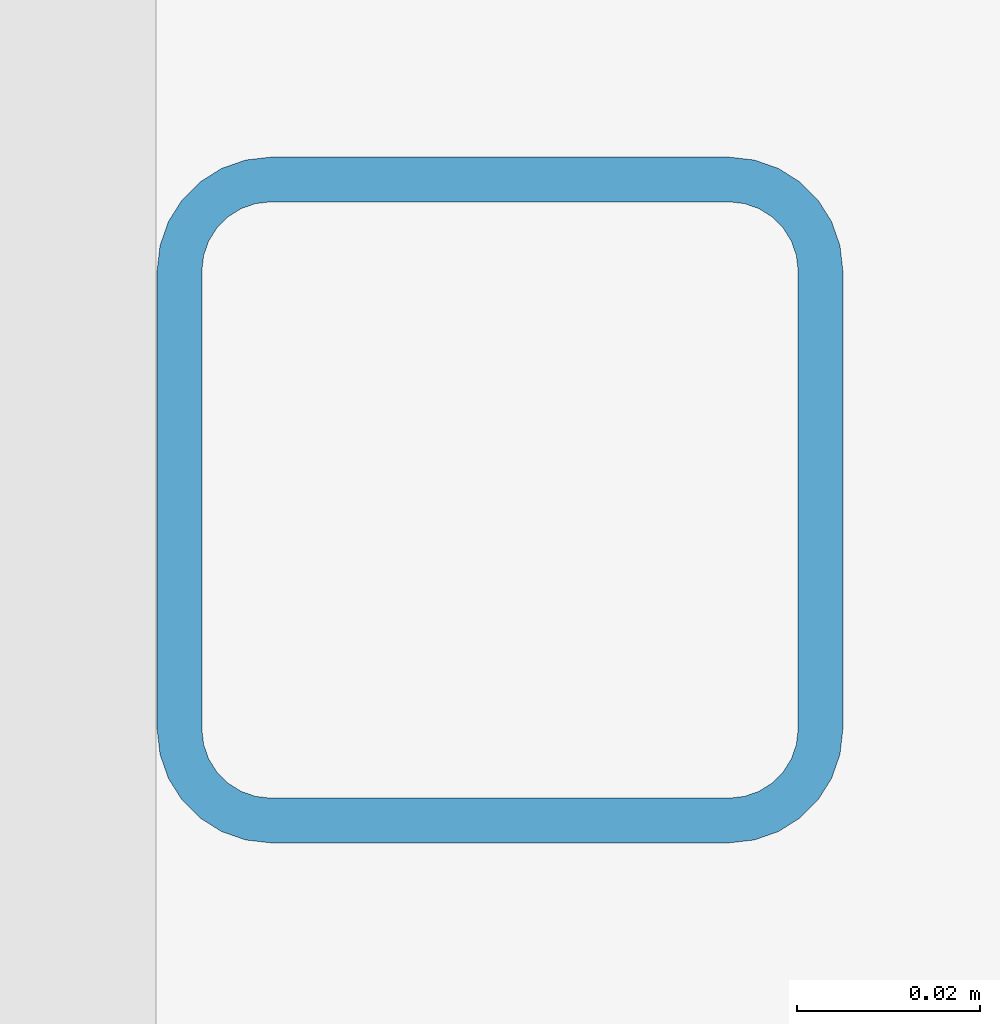
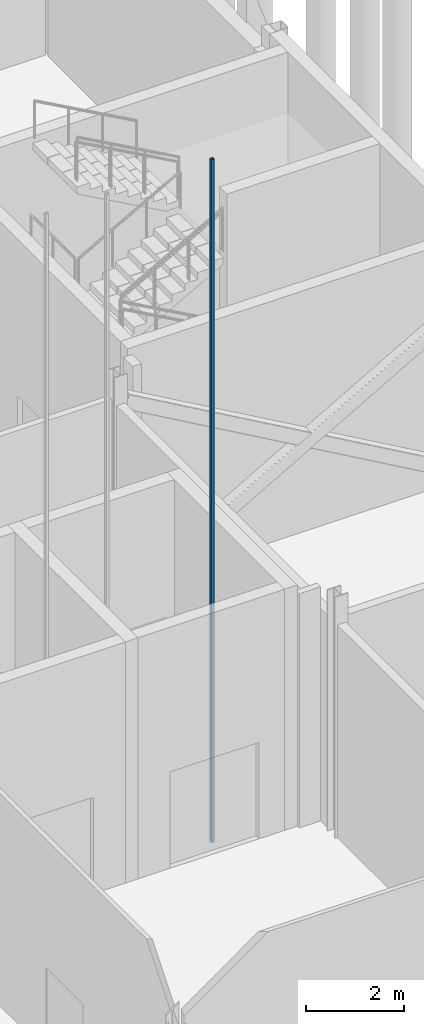
# One storey, part 45 of 139: 1 member.
"""IFC4 building model written with IfcOpenShell, lengths in metres."""

import ifcopenshell
import ifcopenshell.guid

model = None  # the IFC model being written
_history = None  # IfcOwnerHistory: only IFC2X3 demands one
_inside = {}  # id of a spatial element -> (the spatial element, [elements in it])
_under = {}  # id of a project, library or spatial element -> (it, [spatial elements below it])
_declared = {}  # id of a project -> (the project, [libraries it declares])
_typed = {}  # id of a type object -> (the type object, [elements of that type])
_made_of = {}  # id of a material, layer set ... -> (it, [elements and type objects made of it])


def new_model(schema):
    """Start an empty IFC model of exactly this schema.

    Asked for "IFC4X3", IfcOpenShell would pick the latest addendum, in which some entities
    have other attributes; the version numbers below select the first issue.
    IFC2X3 requires an IfcOwnerHistory on every rooted entity: one is made here for all.
    """
    global model, _history
    if schema == "IFC4X3":
        model = ifcopenshell.file(schema_version=(4, 3, 0, 0))
    else:
        model = ifcopenshell.file(schema=schema)
    _inside.clear()
    _under.clear()
    _declared.clear()
    _typed.clear()
    _made_of.clear()
    _history = None
    if model.schema == "IFC2X3":
        org = make("IfcOrganization", Name="unknown")
        user = make(
            "IfcPersonAndOrganization",
            ThePerson=make("IfcPerson", FamilyName="unknown"),
            TheOrganization=org,
        )
        app = make(
            "IfcApplication",
            ApplicationDeveloper=org,
            Version="unknown",
            ApplicationFullName="unknown",
            ApplicationIdentifier="unknown",
        )
        _history = make(
            "IfcOwnerHistory",
            OwningUser=user,
            OwningApplication=app,
            ChangeAction="ADDED",
            CreationDate=0,
        )
    return model


def make(cls, **values):
    """One entity of the class cls with the attributes given. An attribute that is None is left unset."""
    return model.create_entity(
        cls, **{name: value for name, value in values.items() if value is not None}
    )


def rooted(cls, **values):
    """An entity with a GlobalId (a new one), such as an element, a storey or a relation."""
    return make(cls, GlobalId=ifcopenshell.guid.new(), OwnerHistory=_history, **values)


def si_unit(unit_type, name, prefix=None):
    """IfcSIUnit, for example si_unit("LENGTHUNIT", "METRE", prefix="MILLI")."""
    return make("IfcSIUnit", UnitType=unit_type, Prefix=prefix, Name=name)


def assignment(units):
    """IfcUnitAssignment: the units of a project."""
    return None if units is None else make("IfcUnitAssignment", Units=units)


def point(xyz):
    """IfcCartesianPoint."""
    return None if xyz is None else make("IfcCartesianPoint", Coordinates=xyz)


def direction(xyz):
    """IfcDirection."""
    return None if xyz is None else make("IfcDirection", DirectionRatios=xyz)


def frame(location, z_axis=None, x_axis=None):
    """IfcAxis2Placement3D, a coordinate frame: its origin and axes. An axis left out is left unset."""
    return make(
        "IfcAxis2Placement3D",
        Location=point(location),
        Axis=direction(z_axis),
        RefDirection=direction(x_axis),
    )


def frame_2d(location, x_axis=None):
    """IfcAxis2Placement2D, a coordinate frame in the plane: its origin and x axis."""
    return make(
        "IfcAxis2Placement2D", Location=point(location), RefDirection=direction(x_axis)
    )


def origin():
    """The frame at (0, 0, 0) with its axes left unset."""
    return frame((0.0, 0.0, 0.0))


def origin_2d():
    """The frame at (0, 0) in the plane with its x axis left unset."""
    return frame_2d((0.0, 0.0))


def place(relative_to, where):
    """IfcLocalPlacement: puts the frame where relative to a parent placement (None: the world)."""
    return make(
        "IfcLocalPlacement", PlacementRelTo=relative_to, RelativePlacement=where
    )


def context(
    kind, dimensions, precision=None, world=None, true_north=None, identifier=None
):
    """IfcGeometricRepresentationContext, for example the 3D "Model" context."""
    return make(
        "IfcGeometricRepresentationContext",
        ContextIdentifier=identifier,
        ContextType=kind,
        CoordinateSpaceDimension=dimensions,
        Precision=precision,
        WorldCoordinateSystem=world,
        TrueNorth=true_north,
    )


def subcontext(parent, identifier, kind, view, scale=None):
    """IfcGeometricRepresentationSubContext, for example "Body" below "Model"."""
    return make(
        "IfcGeometricRepresentationSubContext",
        ContextIdentifier=identifier,
        ContextType=kind,
        ParentContext=parent,
        TargetScale=scale,
        TargetView=view,
    )


def project(units=None, contexts=None):
    """IfcProject with its units and contexts."""
    return rooted(
        "IfcProject",
        Name="project",
        RepresentationContexts=contexts,
        UnitsInContext=assignment(units),
    )


def spatial(cls, under=None, at=None, **own):
    """A site, building, storey or space (cls), placed at a placement, below another one or the project."""
    s = rooted(cls, ObjectPlacement=at, **own)
    if under is not None:
        _under.setdefault(under.id(), (under, []))[1].append(s)
    return s


def profile(cls, at=None, kind="AREA", **sizes):
    """A parametric profile (cls). Its sizes go by their IFC names, for example OverallWidth=200.0."""
    return make(cls, ProfileType=kind, Position=at, **sizes)


def hollow_rectangle(**sizes):
    """IfcRectangleHollowProfileDef."""
    return profile("IfcRectangleHollowProfileDef", **sizes)


def extrude(swept, where, along, depth):
    """IfcExtrudedAreaSolid: the profile swept, set in the frame where, extruded along a direction by depth."""
    return make(
        "IfcExtrudedAreaSolid",
        SweptArea=swept,
        Position=where,
        ExtrudedDirection=direction(along),
        Depth=depth,
    )


def shape(context_of_items, identifier, shape_type, items):
    """IfcShapeRepresentation: the items that make up one representation, for example the "Body"."""
    return make(
        "IfcShapeRepresentation",
        ContextOfItems=context_of_items,
        RepresentationIdentifier=identifier,
        RepresentationType=shape_type,
        Items=items,
    )


def material(Name=None, Category=None):
    """IfcMaterial."""
    return make("IfcMaterial", Name=Name, Category=Category)


def material_profile(
    of_material, cross_section, Name=None, Category=None, Priority=None
):
    """IfcMaterialProfile: a cross section and its material."""
    return make(
        "IfcMaterialProfile",
        Name=Name,
        Material=of_material,
        Profile=cross_section,
        Priority=Priority,
        Category=Category,
    )


def profile_set(profiles, Name=None, composite=None):
    """IfcMaterialProfileSet."""
    return make(
        "IfcMaterialProfileSet",
        Name=Name,
        MaterialProfiles=profiles,
        CompositeProfile=composite,
    )


def made_of(thing, what):
    """Note that an element or type object is made of a material, layer set ...; save() writes the relation."""
    if what is not None:
        _made_of.setdefault(what.id(), (what, []))[1].append(thing)
    return thing


def type_object(cls, material=None, **own):
    """A type object (cls), such as IfcWallType, which elements share."""
    return made_of(rooted(cls, **own), material)


def element(
    cls,
    number,
    at=None,
    inside=None,
    cuts=None,
    type_object=None,
    material=None,
    context=None,
    identifier="Body",
    shape_type=None,
    held_by="IfcProductDefinitionShape",
    body=None,
    shapes=None,
    **own,
):
    """One element of the class cls, such as IfcWall. Its Tag is "e" and its number.

    at: its placement. inside: the storey or other place that contains it. cuts: it is an
    opening in that element (IfcRelVoidsElement). A single representation is given by context,
    identifier, shape_type and body (its items); several are given by shapes. held_by: the class
    of the entity that holds the representations. save() writes the other relations.
    """
    e = rooted(cls, Tag="e%d" % number, ObjectPlacement=at, **own)
    if body is not None:
        shapes = [shape(context, identifier, shape_type, body)]
    if shapes is not None:
        e.Representation = make(held_by, Representations=shapes)
    if inside is not None:
        _inside.setdefault(inside.id(), (inside, []))[1].append(e)
    if cuts is not None:
        rooted(
            "IfcRelVoidsElement", RelatingBuildingElement=cuts, RelatedOpeningElement=e
        )
    if type_object is not None:
        _typed.setdefault(type_object.id(), (type_object, []))[1].append(e)
    return made_of(e, material)


def aggregate(whole, parts):
    """IfcRelAggregates: a whole, such as a stair, and the parts it consists of."""
    return rooted("IfcRelAggregates", RelatingObject=whole, RelatedObjects=parts)


def save(model, path):
    """Write the relations noted so far, then the file.

    IfcRelAggregates (storeys below a building ...), IfcRelContainedInSpatialStructure (elements
    in a storey), IfcRelDefinesByType, IfcRelAssociatesMaterial and IfcRelDeclares: one each for
    every whole, place, type object, material and project.
    """
    for whole, parts in _under.values():
        aggregate(whole, parts)
    for where, things in _inside.values():
        rooted(
            "IfcRelContainedInSpatialStructure",
            RelatedElements=things,
            RelatingStructure=where,
        )
    for kind, things in _typed.values():
        rooted("IfcRelDefinesByType", RelatedObjects=things, RelatingType=kind)
    for what, things in _made_of.values():
        rooted("IfcRelAssociatesMaterial", RelatedObjects=things, RelatingMaterial=what)
    for by, libraries in _declared.values():
        rooted("IfcRelDeclares", RelatingContext=by, RelatedDefinitions=libraries)
    model.write(path)


model = new_model("IFC4")

# Units and contexts
model_context = context("Model", 3, precision=1e-05, world=origin(), true_north=direction((0.0, 1.0)))
body_context = subcontext(model_context, "Body", "Model", "MODEL_VIEW")
ifc_project = project(units=[si_unit("LENGTHUNIT", "METRE"), si_unit("AREAUNIT", "SQUARE_METRE"), si_unit("VOLUMEUNIT", "CUBIC_METRE"), si_unit("PLANEANGLEUNIT", "RADIAN"), si_unit("MASSUNIT", "GRAM", prefix="KILO")], contexts=[model_context])

# Site, building, storey
site_placement = place(None, origin())
site = spatial("IfcSite", under=ifc_project, at=site_placement, CompositionType="ELEMENT")
building_placement = place(site_placement, origin())
building = spatial("IfcBuilding", under=site, at=building_placement, Name="Shorebreak Coast Museum", CompositionType="ELEMENT")
storey_placement = place(building_placement, origin())
storey = spatial("IfcBuildingStorey", under=building, at=storey_placement, Name="L00", CompositionType="ELEMENT", Elevation=0.0)

# Member
ifc_material = material(Name="Steel Grade C450L0", Category="steel")
ifc_material_profile = material_profile(ifc_material, hollow_rectangle(XDim=0.074951171875, YDim=0.074951171875, WallThickness=0.0048828125, InnerFilletRadius=0.007568359375, OuterFilletRadius=0.012451171875, at=origin_2d()), Name="75x75x5.0 SHS")
ifc_profile_set = profile_set([ifc_material_profile], Name="Steel Grade C450L0")
member_type = type_object("IfcMemberType", Name="Lift guide rail 75x75x5.0 SHS", PredefinedType="POST", material=ifc_profile_set)
member_placement = place(storey_placement, frame((106.6875, 20.85009765625, -1.5), z_axis=(0.0, 0.0, 1.0), x_axis=(1.0, 0.0, 0.0)))
element("IfcMember", 1, at=member_placement, inside=storey, type_object=member_type, Name="Goods Lift 2 guide rail", PredefinedType="POST", context=body_context, shape_type="SweptSolid", body=[
    extrude(hollow_rectangle(XDim=0.074951171875, YDim=0.074951171875, WallThickness=0.0048828125, InnerFilletRadius=0.007568359375, OuterFilletRadius=0.012451171875, at=origin_2d()), origin(), (0.0, 0.0, 1.0), 17.0),
])

save(model, "model.ifc")
